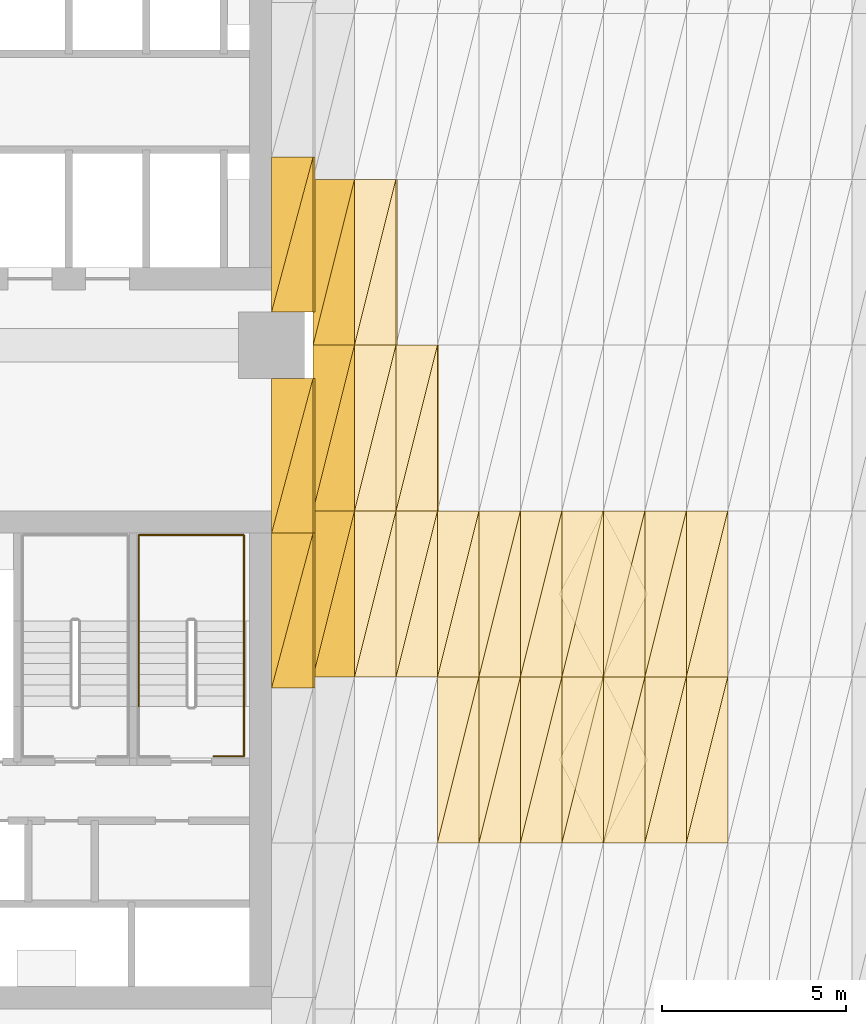
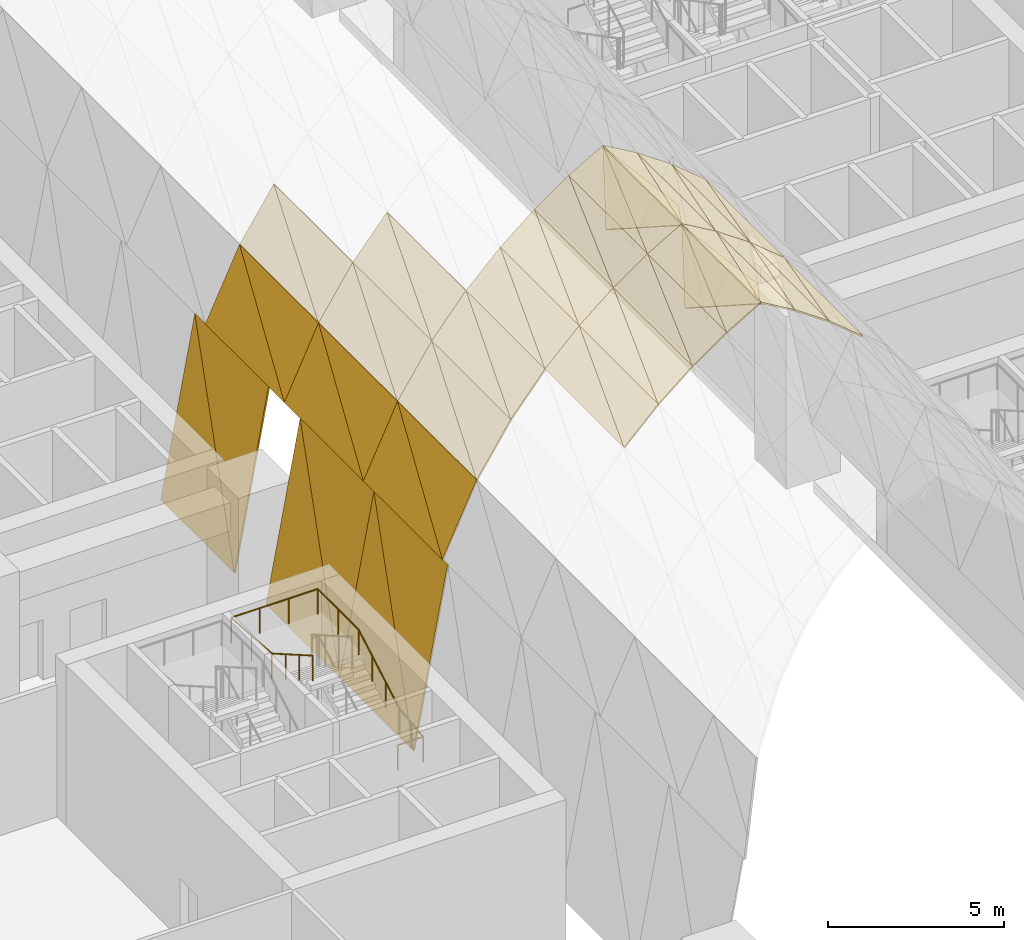
# One storey, part 35 of 46: 54 coverings, 1 railing.
"""IFC4 building model written with IfcOpenShell, lengths in metres."""

from ifc_helpers import new_model, si_unit, direction, frame, origin, origin_2d, place, context, subcontext, project, spatial, polyline, circle, outline, extrude, material, layer, layer_set, type_object, element, save


model = new_model("IFC4")

# Units and contexts
model_context = context("Model", 3, precision=1e-05, world=origin(), true_north=direction((0.0, 1.0)))
body_context = subcontext(model_context, "Body", "Model", "MODEL_VIEW")
ifc_project = project(units=[si_unit("LENGTHUNIT", "METRE"), si_unit("AREAUNIT", "SQUARE_METRE"), si_unit("VOLUMEUNIT", "CUBIC_METRE"), si_unit("PLANEANGLEUNIT", "RADIAN"), si_unit("MASSUNIT", "GRAM", prefix="KILO")], contexts=[model_context])

# Site, building, storey
site_placement = place(None, origin())
site = spatial("IfcSite", under=ifc_project, at=site_placement, CompositionType="ELEMENT")
building_placement = place(site_placement, origin())
building = spatial("IfcBuilding", under=site, at=building_placement, Name="Tessera Arch", CompositionType="ELEMENT")
storey_placement = place(building_placement, frame((0.0, 0.0, 8.0)))
storey = spatial("IfcBuildingStorey", under=building, at=storey_placement, Name="L01", CompositionType="ELEMENT", Elevation=8.0)

# Coverings
ifc_material_1 = material(Name="Aluminium cladding pale metal anodised", Category="aluminium")
ifc_layer = layer(ifc_material_1, 0.050048828125)
ifc_layer_set = layer_set([ifc_layer], Name="Arch soffit panel")
covering_type = type_object("IfcCoveringType", Name="Arch soffit panel", PredefinedType="CLADDING", material=ifc_layer_set)
covering_1_placement = place(storey_placement, frame((18.0, 17.699951171875, 2.0), z_axis=(-0.98331706381, 0.0, 0.181899840628), x_axis=(0.181899840628, 0.0, 0.98331706381)))
element("IfcCovering", 1, at=covering_1_placement, inside=storey, type_object=covering_type, Name="Arch soffit panel 1-5-1", PredefinedType="CLADDING", context=body_context, shape_type="SweptSolid", body=[
    extrude(outline(polyline([(0.0, 0.0), (6.184722296170829, 0.0), (6.184722296170829, 4.199951171875), (0.0, 0.0)])), origin(), (0.0, 0.0, -1.0), 0.050048828125),
])
covering_2_placement = place(storey_placement, frame((18.0, 17.699951171875, 2.0), z_axis=(-0.98331706381, 0.0, 0.181899840628), x_axis=(0.150481805158, 0.561792207927, 0.81347694585)))
element("IfcCovering", 2, at=covering_2_placement, inside=storey, type_object=covering_type, Name="Arch soffit panel 1-5-2", PredefinedType="CLADDING", context=body_context, shape_type="SweptSolid", body=[
    extrude(outline(polyline([(0.0, 0.0), (7.475986873108242, 4.440892098500626e-16), (2.3594998420322653, 3.474528794179709), (0.0, 0.0)])), origin(), (0.0, 0.0, -1.0), 0.050048828125),
])
covering_3_placement = place(storey_placement, frame((18.0, 21.89990234375, 2.0), z_axis=(-0.98331706381, 0.0, 0.181899840628), x_axis=(0.181899840628, 0.0, 0.98331706381)))
element("IfcCovering", 3, at=covering_3_placement, inside=storey, type_object=covering_type, Name="Arch soffit panel 1-6-1", PredefinedType="CLADDING", context=body_context, shape_type="SweptSolid", body=[
    extrude(outline(polyline([(0.0, 0.0), (6.184722296170829, 0.0), (6.184722296170829, 4.200195312500001), (0.0, 0.0)])), origin(), (0.0, 0.0, -1.0), 0.050048828125),
])
covering_4_placement = place(storey_placement, frame((18.0, 21.89990234375, 2.0), z_axis=(-0.98331706381, 0.0, 0.181899840628), x_axis=(0.150479044377, 0.561814557175, 0.813462021578)))
element("IfcCovering", 4, at=covering_4_placement, inside=storey, type_object=covering_type, Name="Arch soffit panel 1-6-2", PredefinedType="CLADDING", context=body_context, shape_type="SweptSolid", body=[
    extrude(outline(polyline([(0.0, 0.0), (7.47612403213721, 4.440892098500626e-16), (2.3597308695403933, 3.4746670180731147), (0.0, 0.0)])), origin(), (0.0, 0.0, -1.0), 0.050048828125),
])
covering_5_placement = place(storey_placement, frame((18.0, 27.89990234375, 2.0), z_axis=(-0.98331706381, 0.0, 0.181899840628), x_axis=(0.181899840628, 0.0, 0.98331706381)))
element("IfcCovering", 5, at=covering_5_placement, inside=storey, type_object=covering_type, Name="Arch soffit panel 1-7-1", PredefinedType="CLADDING", context=body_context, shape_type="SweptSolid", body=[
    extrude(outline(polyline([(0.0, 0.0), (6.184722296170829, 0.0), (6.184722296170829, 4.200195312500001), (0.0, 0.0)])), origin(), (0.0, 0.0, -1.0), 0.050048828125),
])
covering_6_placement = place(storey_placement, frame((18.0, 27.89990234375, 2.0), z_axis=(-0.98331706381, 0.0, 0.181899840628), x_axis=(0.150479044377, 0.561814557175, 0.813462021578)))
element("IfcCovering", 6, at=covering_6_placement, inside=storey, type_object=covering_type, Name="Arch soffit panel 1-7-2", PredefinedType="CLADDING", context=body_context, shape_type="SweptSolid", body=[
    extrude(outline(polyline([(0.0, 0.0), (7.47612403213721, 4.440892098500626e-16), (2.3597308695403933, 3.4746670180731147), (0.0, 0.0)])), origin(), (0.0, 0.0, -1.0), 0.050048828125),
])
covering_7_placement = place(storey_placement, frame((19.125, 18.0, 8.08154296875), z_axis=(-0.903430696756, 0.0, 0.428734155577), x_axis=(0.428734155577, 0.0, 0.903430696756)))
element("IfcCovering", 7, at=covering_7_placement, inside=storey, type_object=covering_type, Name="Arch soffit panel 2-5-1", PredefinedType="CLADDING", context=body_context, shape_type="SweptSolid", body=[
    extrude(outline(polyline([(0.0, 0.0), (2.624003675391368, 0.0), (2.624003675391368, 4.500000000000001), (0.0, 0.0)])), origin(), (0.0, 0.0, -1.0), 0.050048828125),
])
covering_8_placement = place(storey_placement, frame((19.125, 18.0, 8.08154296875), z_axis=(-0.903430696756, 0.0, 0.428734155577), x_axis=(0.215965533365, 0.863862133459, 0.455083621739)))
element("IfcCovering", 8, at=covering_8_placement, inside=storey, type_object=covering_type, Name="Arch soffit panel 2-5-2", PredefinedType="CLADDING", context=body_context, shape_type="SweptSolid", body=[
    extrude(outline(polyline([(0.0, 0.0), (5.209164548031422, 0.0), (3.887379600564281, 2.2667774132271337), (0.0, 0.0)])), origin(), (0.0, 0.0, -1.0), 0.050048828125),
])
covering_9_placement = place(storey_placement, frame((19.125, 22.5, 8.08154296875), z_axis=(-0.903430696756, 0.0, 0.428734155577), x_axis=(0.428734155577, 0.0, 0.903430696756)))
element("IfcCovering", 9, at=covering_9_placement, inside=storey, type_object=covering_type, Name="Arch soffit panel 2-6-1", PredefinedType="CLADDING", context=body_context, shape_type="SweptSolid", body=[
    extrude(outline(polyline([(0.0, 0.0), (2.624003675391368, 0.0), (2.624003675391368, 4.500000000000001), (0.0, 0.0)])), origin(), (0.0, 0.0, -1.0), 0.050048828125),
])
covering_10_placement = place(storey_placement, frame((19.125, 22.5, 8.08154296875), z_axis=(-0.903430696756, 0.0, 0.428734155577), x_axis=(0.215965533365, 0.863862133459, 0.455083621739)))
element("IfcCovering", 10, at=covering_10_placement, inside=storey, type_object=covering_type, Name="Arch soffit panel 2-6-2", PredefinedType="CLADDING", context=body_context, shape_type="SweptSolid", body=[
    extrude(outline(polyline([(0.0, 0.0), (5.209164548031422, 0.0), (3.887379600564281, 2.2667774132271337), (0.0, 0.0)])), origin(), (0.0, 0.0, -1.0), 0.050048828125),
])
covering_11_placement = place(storey_placement, frame((19.125, 27.0, 8.08154296875), z_axis=(-0.903430696756, 0.0, 0.428734155577), x_axis=(0.428734155577, 0.0, 0.903430696756)))
element("IfcCovering", 11, at=covering_11_placement, inside=storey, type_object=covering_type, Name="Arch soffit panel 2-7-1", PredefinedType="CLADDING", context=body_context, shape_type="SweptSolid", body=[
    extrude(outline(polyline([(0.0, 0.0), (2.624003675391368, 0.0), (2.624003675391368, 4.500000000000001), (0.0, 0.0)])), origin(), (0.0, 0.0, -1.0), 0.050048828125),
])
covering_12_placement = place(storey_placement, frame((19.125, 27.0, 8.08154296875), z_axis=(-0.903430696756, 0.0, 0.428734155577), x_axis=(0.215965533365, 0.863862133459, 0.455083621739)))
element("IfcCovering", 12, at=covering_12_placement, inside=storey, type_object=covering_type, Name="Arch soffit panel 2-7-2", PredefinedType="CLADDING", context=body_context, shape_type="SweptSolid", body=[
    extrude(outline(polyline([(0.0, 0.0), (5.209164548031422, 0.0), (3.887379600564281, 2.2667774132271337), (0.0, 0.0)])), origin(), (0.0, 0.0, -1.0), 0.050048828125),
])
covering_13_placement = place(storey_placement, frame((20.25, 18.0, 10.4521484375), z_axis=(-0.836058150895, 0.0, 0.548640837272), x_axis=(0.548640837272, 0.0, 0.836058150895)))
element("IfcCovering", 13, at=covering_13_placement, inside=storey, type_object=covering_type, Name="Arch soffit panel 3-5-1", PredefinedType="CLADDING", context=body_context, shape_type="SweptSolid", body=[
    extrude(outline(polyline([(0.0, 0.0), (2.050521805110356, 0.0), (2.050521805110356, 4.500000000000001), (0.0, 0.0)])), origin(), (0.0, 0.0, -1.0), 0.050048828125),
])
covering_14_placement = place(storey_placement, frame((20.25, 18.0, 10.4521484375), z_axis=(-0.836058150895, 0.0, 0.548640837272), x_axis=(0.227495016996, 0.909980067983, 0.346673179111)))
element("IfcCovering", 14, at=covering_14_placement, inside=storey, type_object=covering_type, Name="Arch soffit panel 3-5-2", PredefinedType="CLADDING", context=body_context, shape_type="SweptSolid", body=[
    extrude(outline(polyline([(0.0, 0.0), (4.945163260523664, 0.0), (4.094910305924995, 1.8659339716156267), (0.0, 0.0)])), origin(), (0.0, 0.0, -1.0), 0.050048828125),
])
covering_15_placement = place(storey_placement, frame((20.25, 22.5, 10.4521484375), z_axis=(-0.836058150895, 0.0, 0.548640837272), x_axis=(0.548640837272, 0.0, 0.836058150895)))
element("IfcCovering", 15, at=covering_15_placement, inside=storey, type_object=covering_type, Name="Arch soffit panel 3-6-1", PredefinedType="CLADDING", context=body_context, shape_type="SweptSolid", body=[
    extrude(outline(polyline([(0.0, 0.0), (2.050521805110356, 0.0), (2.050521805110356, 4.500000000000001), (0.0, 0.0)])), origin(), (0.0, 0.0, -1.0), 0.050048828125),
])
covering_16_placement = place(storey_placement, frame((20.25, 22.5, 10.4521484375), z_axis=(-0.836058150895, 0.0, 0.548640837272), x_axis=(0.227495016996, 0.909980067983, 0.346673179111)))
element("IfcCovering", 16, at=covering_16_placement, inside=storey, type_object=covering_type, Name="Arch soffit panel 3-6-2", PredefinedType="CLADDING", context=body_context, shape_type="SweptSolid", body=[
    extrude(outline(polyline([(0.0, 0.0), (4.945163260523664, 0.0), (4.094910305924995, 1.8659339716156267), (0.0, 0.0)])), origin(), (0.0, 0.0, -1.0), 0.050048828125),
])
covering_17_placement = place(storey_placement, frame((20.25, 27.0, 10.4521484375), z_axis=(-0.836058150895, 0.0, 0.548640837272), x_axis=(0.548640837272, 0.0, 0.836058150895)))
element("IfcCovering", 17, at=covering_17_placement, inside=storey, type_object=covering_type, Name="Arch soffit panel 3-7-1", PredefinedType="CLADDING", context=body_context, shape_type="SweptSolid", body=[
    extrude(outline(polyline([(0.0, 0.0), (2.050521805110356, 0.0), (2.050521805110356, 4.500000000000001), (0.0, 0.0)])), origin(), (0.0, 0.0, -1.0), 0.050048828125),
])
covering_18_placement = place(storey_placement, frame((20.25, 27.0, 10.4521484375), z_axis=(-0.836058150895, 0.0, 0.548640837272), x_axis=(0.227495016996, 0.909980067983, 0.346673179111)))
element("IfcCovering", 18, at=covering_18_placement, inside=storey, type_object=covering_type, Name="Arch soffit panel 3-7-2", PredefinedType="CLADDING", context=body_context, shape_type="SweptSolid", body=[
    extrude(outline(polyline([(0.0, 0.0), (4.945163260523664, 0.0), (4.094910305924995, 1.8659339716156267), (0.0, 0.0)])), origin(), (0.0, 0.0, -1.0), 0.050048828125),
])
covering_19_placement = place(storey_placement, frame((21.375, 18.0, 12.16650390625), z_axis=(-0.769435590456, 0.0, 0.638724410164), x_axis=(0.638724410164, 0.0, 0.769435590456)))
element("IfcCovering", 19, at=covering_19_placement, inside=storey, type_object=covering_type, Name="Arch soffit panel 4-5-1", PredefinedType="CLADDING", context=body_context, shape_type="SweptSolid", body=[
    extrude(outline(polyline([(0.0, 0.0), (1.7613230089496987, 0.0), (1.7613230089496987, 4.5), (0.0, 0.0)])), origin(), (0.0, 0.0, -1.0), 0.050048828125),
])
covering_20_placement = place(storey_placement, frame((21.375, 18.0, 12.16650390625), z_axis=(-0.769435590456, 0.0, 0.638724410164), x_axis=(0.232802733554, 0.931210934214, 0.280444438793)))
element("IfcCovering", 20, at=covering_20_placement, inside=storey, type_object=covering_type, Name="Arch soffit panel 4-5-2", PredefinedType="CLADDING", context=body_context, shape_type="SweptSolid", body=[
    extrude(outline(polyline([(0.0, 0.0), (4.832417484226257, 2.220446049250313e-16), (4.190449203964491, 1.640163244617246), (0.0, 0.0)])), origin(), (0.0, 0.0, -1.0), 0.050048828125),
])
covering_21_placement = place(storey_placement, frame((21.375, 22.5, 12.16650390625), z_axis=(-0.769435590456, 0.0, 0.638724410164), x_axis=(0.638724410164, 0.0, 0.769435590456)))
element("IfcCovering", 21, at=covering_21_placement, inside=storey, type_object=covering_type, Name="Arch soffit panel 4-6-1", PredefinedType="CLADDING", context=body_context, shape_type="SweptSolid", body=[
    extrude(outline(polyline([(0.0, 0.0), (1.7613230089496987, 0.0), (1.7613230089496987, 4.5), (0.0, 0.0)])), origin(), (0.0, 0.0, -1.0), 0.050048828125),
])
covering_22_placement = place(storey_placement, frame((21.375, 22.5, 12.16650390625), z_axis=(-0.769435590456, 0.0, 0.638724410164), x_axis=(0.232802733554, 0.931210934214, 0.280444438793)))
element("IfcCovering", 22, at=covering_22_placement, inside=storey, type_object=covering_type, Name="Arch soffit panel 4-6-2", PredefinedType="CLADDING", context=body_context, shape_type="SweptSolid", body=[
    extrude(outline(polyline([(0.0, 0.0), (4.832417484226257, 2.220446049250313e-16), (4.190449203964491, 1.640163244617246), (0.0, 0.0)])), origin(), (0.0, 0.0, -1.0), 0.050048828125),
])
covering_23_placement = place(storey_placement, frame((22.5, 13.5, 13.521728515625), z_axis=(-0.70300502251, 0.0, 0.711184883364), x_axis=(0.711184883364, 0.0, 0.70300502251)))
element("IfcCovering", 23, at=covering_23_placement, inside=storey, type_object=covering_type, Name="Arch soffit panel 5-4-1", PredefinedType="CLADDING", context=body_context, shape_type="SweptSolid", body=[
    extrude(outline(polyline([(0.0, 0.0), (1.5818671435730385, 0.0), (1.5818671435730385, 4.5), (0.0, 0.0)])), origin(), (0.0, 0.0, -1.0), 0.050048828125),
])
covering_24_placement = place(storey_placement, frame((22.5, 13.5, 13.521728515625), z_axis=(-0.70300502251, 0.0, 0.711184883364), x_axis=(0.235852147397, 0.943408589587, 0.233139438236)))
element("IfcCovering", 24, at=covering_24_placement, inside=storey, type_object=covering_type, Name="Arch soffit panel 5-4-2", PredefinedType="CLADDING", context=body_context, shape_type="SweptSolid", body=[
    extrude(outline(polyline([(0.0, 0.0), (4.769937490147635, 0.0), (4.245338653143071, 1.4923470508328087), (0.0, 0.0)])), origin(), (0.0, 0.0, -1.0), 0.050048828125),
])
covering_25_placement = place(storey_placement, frame((22.5, 18.0, 13.521728515625), z_axis=(-0.70300502251, 0.0, 0.711184883364), x_axis=(0.711184883364, 0.0, 0.70300502251)))
element("IfcCovering", 25, at=covering_25_placement, inside=storey, type_object=covering_type, Name="Arch soffit panel 5-5-1", PredefinedType="CLADDING", context=body_context, shape_type="SweptSolid", body=[
    extrude(outline(polyline([(0.0, 0.0), (1.5818671435730385, 0.0), (1.5818671435730385, 4.5), (0.0, 0.0)])), origin(), (0.0, 0.0, -1.0), 0.050048828125),
])
covering_26_placement = place(storey_placement, frame((22.5, 18.0, 13.521728515625), z_axis=(-0.70300502251, 0.0, 0.711184883364), x_axis=(0.235852147397, 0.943408589587, 0.233139438236)))
element("IfcCovering", 26, at=covering_26_placement, inside=storey, type_object=covering_type, Name="Arch soffit panel 5-5-2", PredefinedType="CLADDING", context=body_context, shape_type="SweptSolid", body=[
    extrude(outline(polyline([(0.0, 0.0), (4.769937490147635, 0.0), (4.245338653143071, 1.4923470508328087), (0.0, 0.0)])), origin(), (0.0, 0.0, -1.0), 0.050048828125),
])
covering_27_placement = place(storey_placement, frame((23.625, 13.5, 14.6337890625), z_axis=(-0.636621915226, 0.0, 0.771176073964), x_axis=(0.771176073964, 0.0, 0.636621915226)))
element("IfcCovering", 27, at=covering_27_placement, inside=storey, type_object=covering_type, Name="Arch soffit panel 6-4-1", PredefinedType="CLADDING", context=body_context, shape_type="SweptSolid", body=[
    extrude(outline(polyline([(0.0, 0.0), (1.4588108189316835, 0.0), (1.4588108189316835, 4.5), (0.0, 0.0)])), origin(), (0.0, 0.0, -1.0), 0.050048828125),
])
covering_28_placement = place(storey_placement, frame((23.625, 13.5, 14.6337890625), z_axis=(-0.636621915226, 0.0, 0.771176073964), x_axis=(0.237815762211, 0.951263048844, 0.1963218662)))
element("IfcCovering", 28, at=covering_28_placement, inside=storey, type_object=covering_type, Name="Arch soffit panel 6-4-2", PredefinedType="CLADDING", context=body_context, shape_type="SweptSolid", body=[
    extrude(outline(polyline([(0.0, 0.0), (4.730552716695177, 1.1102230246251565e-16), (4.280683719797313, 1.3877128273033432), (0.0, 0.0)])), origin(), (0.0, 0.0, -1.0), 0.050048828125),
])
covering_29_placement = place(storey_placement, frame((23.625, 18.0, 14.6337890625), z_axis=(-0.636621915226, 0.0, 0.771176073964), x_axis=(0.771176073964, 0.0, 0.636621915226)))
element("IfcCovering", 29, at=covering_29_placement, inside=storey, type_object=covering_type, Name="Arch soffit panel 6-5-1", PredefinedType="CLADDING", context=body_context, shape_type="SweptSolid", body=[
    extrude(outline(polyline([(0.0, 0.0), (1.4588108189316835, 0.0), (1.4588108189316835, 4.5), (0.0, 0.0)])), origin(), (0.0, 0.0, -1.0), 0.050048828125),
])
covering_30_placement = place(storey_placement, frame((23.625, 18.0, 14.6337890625), z_axis=(-0.636621915226, 0.0, 0.771176073964), x_axis=(0.237815762211, 0.951263048844, 0.1963218662)))
element("IfcCovering", 30, at=covering_30_placement, inside=storey, type_object=covering_type, Name="Arch soffit panel 6-5-2", PredefinedType="CLADDING", context=body_context, shape_type="SweptSolid", body=[
    extrude(outline(polyline([(0.0, 0.0), (4.730552716695177, 1.1102230246251565e-16), (4.280683719797313, 1.3877128273033432), (0.0, 0.0)])), origin(), (0.0, 0.0, -1.0), 0.050048828125),
])
covering_31_placement = place(storey_placement, frame((24.75, 13.5, 15.5625), z_axis=(-0.570275535921, 0.0, 0.821453475938), x_axis=(0.821453475938, 0.0, 0.570275535921)))
element("IfcCovering", 31, at=covering_31_placement, inside=storey, type_object=covering_type, Name="Arch soffit panel 7-4-1", PredefinedType="CLADDING", context=body_context, shape_type="SweptSolid", body=[
    extrude(outline(polyline([(0.0, 0.0), (1.3695236954423544, 0.0), (1.3695236954423544, 4.5), (0.0, 0.0)])), origin(), (0.0, 0.0, -1.0), 0.050048828125),
])
covering_32_placement = place(storey_placement, frame((24.75, 13.5, 15.5625), z_axis=(-0.570275535921, 0.0, 0.821453475938), x_axis=(0.239169084806, 0.956676339224, 0.166037739213)))
element("IfcCovering", 32, at=covering_32_placement, inside=storey, type_object=covering_type, Name="Arch soffit panel 7-4-2", PredefinedType="CLADDING", context=body_context, shape_type="SweptSolid", body=[
    extrude(outline(polyline([(0.0, 0.0), (4.703785194115276, 1.6653345369377348e-16), (4.305043526505844, 1.3101909154356595), (0.0, 0.0)])), origin(), (0.0, 0.0, -1.0), 0.050048828125),
])
covering_33_placement = place(storey_placement, frame((24.75, 18.0, 15.5625), z_axis=(-0.570275535921, 0.0, 0.821453475938), x_axis=(0.821453475938, 0.0, 0.570275535921)))
element("IfcCovering", 33, at=covering_33_placement, inside=storey, type_object=covering_type, Name="Arch soffit panel 7-5-1", PredefinedType="CLADDING", context=body_context, shape_type="SweptSolid", body=[
    extrude(outline(polyline([(0.0, 0.0), (1.3695236954423544, 0.0), (1.3695236954423544, 4.5), (0.0, 0.0)])), origin(), (0.0, 0.0, -1.0), 0.050048828125),
])
covering_34_placement = place(storey_placement, frame((24.75, 18.0, 15.5625), z_axis=(-0.570275535921, 0.0, 0.821453475938), x_axis=(0.239169084806, 0.956676339224, 0.166037739213)))
element("IfcCovering", 34, at=covering_34_placement, inside=storey, type_object=covering_type, Name="Arch soffit panel 7-5-2", PredefinedType="CLADDING", context=body_context, shape_type="SweptSolid", body=[
    extrude(outline(polyline([(0.0, 0.0), (4.703785194115276, 1.6653345369377348e-16), (4.305043526505844, 1.3101909154356595), (0.0, 0.0)])), origin(), (0.0, 0.0, -1.0), 0.050048828125),
])
covering_35_placement = place(storey_placement, frame((25.875, 13.5, 16.343505859375), z_axis=(-0.504010866283, 0.0, 0.863697311949), x_axis=(0.863697311949, 0.0, 0.504010866283)))
element("IfcCovering", 35, at=covering_35_placement, inside=storey, type_object=covering_type, Name="Arch soffit panel 8-4-1", PredefinedType="CLADDING", context=body_context, shape_type="SweptSolid", body=[
    extrude(outline(polyline([(0.0, 0.0), (1.3025396564692215, 0.0), (1.3025396564692215, 4.5), (0.0, 0.0)])), origin(), (0.0, 0.0, -1.0), 0.050048828125),
])
covering_36_placement = place(storey_placement, frame((25.875, 13.5, 16.343505859375), z_axis=(-0.504010866283, 0.0, 0.863697311949), x_axis=(0.240142376268, 0.960569505072, 0.140135167054)))
element("IfcCovering", 36, at=covering_36_placement, inside=storey, type_object=covering_type, Name="Arch soffit panel 8-4-2", PredefinedType="CLADDING", context=body_context, shape_type="SweptSolid", body=[
    extrude(outline(polyline([(0.0, 0.0), (4.684720862193921, 1.6653345369377348e-16), (4.322562772825837, 1.2511798731518247), (0.0, 0.0)])), origin(), (0.0, 0.0, -1.0), 0.050048828125),
])
covering_37_placement = place(storey_placement, frame((25.875, 18.0, 16.343505859375), z_axis=(-0.504010866283, 0.0, 0.863697311949), x_axis=(0.863697311949, 0.0, 0.504010866283)))
element("IfcCovering", 37, at=covering_37_placement, inside=storey, type_object=covering_type, Name="Arch soffit panel 8-5-1", PredefinedType="CLADDING", context=body_context, shape_type="SweptSolid", body=[
    extrude(outline(polyline([(0.0, 0.0), (1.3025396564692215, 0.0), (1.3025396564692215, 4.5), (0.0, 0.0)])), origin(), (0.0, 0.0, -1.0), 0.050048828125),
])
covering_38_placement = place(storey_placement, frame((25.875, 18.0, 16.343505859375), z_axis=(-0.504010866283, 0.0, 0.863697311949), x_axis=(0.240142376268, 0.960569505072, 0.140135167054)))
element("IfcCovering", 38, at=covering_38_placement, inside=storey, type_object=covering_type, Name="Arch soffit panel 8-5-2", PredefinedType="CLADDING", context=body_context, shape_type="SweptSolid", body=[
    extrude(outline(polyline([(0.0, 0.0), (4.684720862193921, 1.6653345369377348e-16), (4.322562772825837, 1.2511798731518247), (0.0, 0.0)])), origin(), (0.0, 0.0, -1.0), 0.050048828125),
])
covering_39_placement = place(storey_placement, frame((27.0, 13.5, 17.0), z_axis=(0.504010866283, 0.0, 0.863697311949), x_axis=(0.863697311949, 0.0, -0.504010866283)))
element("IfcCovering", 39, at=covering_39_placement, inside=storey, type_object=covering_type, Name="Arch soffit panel 9-4-1", PredefinedType="CLADDING", context=body_context, shape_type="SweptSolid", body=[
    extrude(outline(polyline([(0.0, 0.0), (1.3025396564692215, 0.0), (1.3025396564692215, 4.5), (0.0, 0.0)])), origin(), (0.0, 0.0, -1.0), 0.050048828125),
])
covering_40_placement = place(storey_placement, frame((27.0, 13.5, 17.0), z_axis=(0.504010866283, 0.0, 0.863697311949), x_axis=(0.240142376268, 0.960569505072, -0.140135167054)))
element("IfcCovering", 40, at=covering_40_placement, inside=storey, type_object=covering_type, Name="Arch soffit panel 9-4-2", PredefinedType="CLADDING", context=body_context, shape_type="SweptSolid", body=[
    extrude(outline(polyline([(0.0, 0.0), (4.684720862193921, 1.6653345369377348e-16), (4.322562772825837, 1.2511798731518247), (0.0, 0.0)])), origin(), (0.0, 0.0, -1.0), 0.050048828125),
])
covering_41_placement = place(storey_placement, frame((27.0, 18.0, 17.0), z_axis=(0.504010866283, 0.0, 0.863697311949), x_axis=(0.863697311949, 0.0, -0.504010866283)))
element("IfcCovering", 41, at=covering_41_placement, inside=storey, type_object=covering_type, Name="Arch soffit panel 9-5-1", PredefinedType="CLADDING", context=body_context, shape_type="SweptSolid", body=[
    extrude(outline(polyline([(0.0, 0.0), (1.3025396564692215, 0.0), (1.3025396564692215, 4.5), (0.0, 0.0)])), origin(), (0.0, 0.0, -1.0), 0.050048828125),
])
covering_42_placement = place(storey_placement, frame((27.0, 18.0, 17.0), z_axis=(0.504010866283, 0.0, 0.863697311949), x_axis=(0.240142376268, 0.960569505072, -0.140135167054)))
element("IfcCovering", 42, at=covering_42_placement, inside=storey, type_object=covering_type, Name="Arch soffit panel 9-5-2", PredefinedType="CLADDING", context=body_context, shape_type="SweptSolid", body=[
    extrude(outline(polyline([(0.0, 0.0), (4.684720862193921, 1.6653345369377348e-16), (4.322562772825837, 1.2511798731518247), (0.0, 0.0)])), origin(), (0.0, 0.0, -1.0), 0.050048828125),
])
covering_43_placement = place(storey_placement, frame((28.125, 13.5, 16.343505859375), z_axis=(0.570275535921, 0.0, 0.821453475938), x_axis=(0.821453475938, 0.0, -0.570275535921)))
element("IfcCovering", 43, at=covering_43_placement, inside=storey, type_object=covering_type, Name="Arch soffit panel 10-4-1", PredefinedType="CLADDING", context=body_context, shape_type="SweptSolid", body=[
    extrude(outline(polyline([(0.0, 0.0), (1.3695236954423544, 0.0), (1.3695236954423544, 4.5), (0.0, 0.0)])), origin(), (0.0, 0.0, -1.0), 0.050048828125),
])
covering_44_placement = place(storey_placement, frame((28.125, 13.5, 16.343505859375), z_axis=(0.570275535921, 0.0, 0.821453475938), x_axis=(0.239169084806, 0.956676339224, -0.166037739213)))
element("IfcCovering", 44, at=covering_44_placement, inside=storey, type_object=covering_type, Name="Arch soffit panel 10-4-2", PredefinedType="CLADDING", context=body_context, shape_type="SweptSolid", body=[
    extrude(outline(polyline([(0.0, 0.0), (4.703785194115276, 1.6653345369377348e-16), (4.305043526505844, 1.3101909154356595), (0.0, 0.0)])), origin(), (0.0, 0.0, -1.0), 0.050048828125),
])
covering_45_placement = place(storey_placement, frame((28.125, 18.0, 16.343505859375), z_axis=(0.570275535921, 0.0, 0.821453475938), x_axis=(0.821453475938, 0.0, -0.570275535921)))
element("IfcCovering", 45, at=covering_45_placement, inside=storey, type_object=covering_type, Name="Arch soffit panel 10-5-1", PredefinedType="CLADDING", context=body_context, shape_type="SweptSolid", body=[
    extrude(outline(polyline([(0.0, 0.0), (1.3695236954423544, 0.0), (1.3695236954423544, 4.5), (0.0, 0.0)])), origin(), (0.0, 0.0, -1.0), 0.050048828125),
])
covering_46_placement = place(storey_placement, frame((28.125, 18.0, 16.343505859375), z_axis=(0.570275535921, 0.0, 0.821453475938), x_axis=(0.239169084806, 0.956676339224, -0.166037739213)))
element("IfcCovering", 46, at=covering_46_placement, inside=storey, type_object=covering_type, Name="Arch soffit panel 10-5-2", PredefinedType="CLADDING", context=body_context, shape_type="SweptSolid", body=[
    extrude(outline(polyline([(0.0, 0.0), (4.703785194115276, 1.6653345369377348e-16), (4.305043526505844, 1.3101909154356595), (0.0, 0.0)])), origin(), (0.0, 0.0, -1.0), 0.050048828125),
])
covering_47_placement = place(storey_placement, frame((29.25, 13.5, 15.5625), z_axis=(0.636621915226, 0.0, 0.771176073964), x_axis=(0.771176073964, 0.0, -0.636621915226)))
element("IfcCovering", 47, at=covering_47_placement, inside=storey, type_object=covering_type, Name="Arch soffit panel 11-4-1", PredefinedType="CLADDING", context=body_context, shape_type="SweptSolid", body=[
    extrude(outline(polyline([(0.0, 0.0), (1.4588108189316835, 0.0), (1.4588108189316835, 4.5), (0.0, 0.0)])), origin(), (0.0, 0.0, -1.0), 0.050048828125),
])
covering_48_placement = place(storey_placement, frame((29.25, 13.5, 15.5625), z_axis=(0.636621915226, 0.0, 0.771176073964), x_axis=(0.237815762211, 0.951263048844, -0.1963218662)))
element("IfcCovering", 48, at=covering_48_placement, inside=storey, type_object=covering_type, Name="Arch soffit panel 11-4-2", PredefinedType="CLADDING", context=body_context, shape_type="SweptSolid", body=[
    extrude(outline(polyline([(0.0, 0.0), (4.730552716695177, 1.1102230246251565e-16), (4.280683719797313, 1.3877128273033432), (0.0, 0.0)])), origin(), (0.0, 0.0, -1.0), 0.050048828125),
])
covering_49_placement = place(storey_placement, frame((29.25, 18.0, 15.5625), z_axis=(0.636621915226, 0.0, 0.771176073964), x_axis=(0.771176073964, 0.0, -0.636621915226)))
element("IfcCovering", 49, at=covering_49_placement, inside=storey, type_object=covering_type, Name="Arch soffit panel 11-5-1", PredefinedType="CLADDING", context=body_context, shape_type="SweptSolid", body=[
    extrude(outline(polyline([(0.0, 0.0), (1.4588108189316835, 0.0), (1.4588108189316835, 4.5), (0.0, 0.0)])), origin(), (0.0, 0.0, -1.0), 0.050048828125),
])
covering_50_placement = place(storey_placement, frame((29.25, 18.0, 15.5625), z_axis=(0.636621915226, 0.0, 0.771176073964), x_axis=(0.237815762211, 0.951263048844, -0.1963218662)))
element("IfcCovering", 50, at=covering_50_placement, inside=storey, type_object=covering_type, Name="Arch soffit panel 11-5-2", PredefinedType="CLADDING", context=body_context, shape_type="SweptSolid", body=[
    extrude(outline(polyline([(0.0, 0.0), (4.730552716695177, 1.1102230246251565e-16), (4.280683719797313, 1.3877128273033432), (0.0, 0.0)])), origin(), (0.0, 0.0, -1.0), 0.050048828125),
])
covering_51_placement = place(storey_placement, frame((27.0, 13.5, 16.949951171875), z_axis=(-0.675690668518, 0.0, 0.737185268761), x_axis=(0.0, 1.0, 0.0)))
element("IfcCovering", 51, at=covering_51_placement, inside=storey, type_object=covering_type, Name="Arch soffit facet W4", PredefinedType="CLADDING", context=body_context, shape_type="SweptSolid", body=[
    extrude(outline(polyline([(0.0, 0.0), (4.5, 0.0), (2.25, 1.6277470843828468), (0.0, 0.0)])), origin(), (0.0, 0.0, -1.0), 0.050048828125),
])
covering_52_placement = place(storey_placement, frame((27.0, 13.5, 16.949951171875), z_axis=(0.675690668518, 0.0, 0.737185268761), x_axis=(0.0, 1.0, 0.0)))
element("IfcCovering", 52, at=covering_52_placement, inside=storey, type_object=covering_type, Name="Arch soffit facet E4", PredefinedType="CLADDING", context=body_context, shape_type="SweptSolid", body=[
    extrude(outline(polyline([(0.0, 0.0), (4.5, 0.0), (2.25, -1.6277470843828468), (0.0, 0.0)])), origin(), (0.0, 0.0, -1.0), 0.050048828125),
])
covering_53_placement = place(storey_placement, frame((27.0, 18.0, 16.949951171875), z_axis=(-0.675690668518, 0.0, 0.737185268761), x_axis=(0.0, 1.0, 0.0)))
element("IfcCovering", 53, at=covering_53_placement, inside=storey, type_object=covering_type, Name="Arch soffit facet W5", PredefinedType="CLADDING", context=body_context, shape_type="SweptSolid", body=[
    extrude(outline(polyline([(0.0, 0.0), (4.5, 0.0), (2.25, 1.6277470843828468), (0.0, 0.0)])), origin(), (0.0, 0.0, -1.0), 0.050048828125),
])
covering_54_placement = place(storey_placement, frame((27.0, 18.0, 16.949951171875), z_axis=(0.675690668518, 0.0, 0.737185268761), x_axis=(0.0, 1.0, 0.0)))
element("IfcCovering", 54, at=covering_54_placement, inside=storey, type_object=covering_type, Name="Arch soffit facet E5", PredefinedType="CLADDING", context=body_context, shape_type="SweptSolid", body=[
    extrude(outline(polyline([(0.0, 0.0), (4.5, 0.0), (2.25, -1.6277470843828468), (0.0, 0.0)])), origin(), (0.0, 0.0, -1.0), 0.050048828125),
])

# Railing
ifc_material_2 = material(Name="Painted steel handrail", Category="steel")
railing_type = type_object("IfcRailingType", Name="Stair handrail 900", PredefinedType="HANDRAIL", material=ifc_material_2)
railing_placement = place(storey_placement, frame((16.425048828125, 15.85009765625, 3.0)))
element("IfcRailing", 55, at=railing_placement, inside=storey, type_object=railing_type, Name="L01 S4a stair handrail 2", PredefinedType="HANDRAIL", context=body_context, shape_type="SweptSolid", body=[
    extrude(circle(Radius=0.02392578125, at=origin_2d()), frame((-0.00390625, 0.0, 0.8759765625), z_axis=(1.0, 0.0, 0.0), x_axis=(0.0, 1.0, 0.0)), (0.0, 0.0, 1.0), 0.8330078125),
    extrude(circle(Radius=0.02392578125, at=origin_2d()), frame((0.824951171875, -0.00390625, 0.875244140625), z_axis=(0.0, 0.992456337791, 0.122598603493), x_axis=(-1.0, 0.0, 0.0)), (0.0, 0.0, 1.0), 1.3681640625),
    extrude(circle(Radius=0.02392578125, at=origin_2d()), frame((0.824951171875, 1.346435546875, 1.04052734375), z_axis=(0.0, 0.867033425039, 0.498249977285), x_axis=(-1.0, 0.0, 0.0)), (0.0, 0.0, 1.0), 2.683837890625),
    extrude(circle(Radius=0.02392578125, at=origin_2d()), frame((0.824951171875, 3.666015625, 2.3759765625), z_axis=(0.0, 1.0, 0.0), x_axis=(-1.0, 0.0, 0.0)), (0.0, 0.0, 1.0), 2.338134765625),
    extrude(circle(Radius=0.02392578125, at=origin_2d()), frame((0.828857421875, 6.0, 2.3759765625), z_axis=(-1.0, 0.0, 0.0), x_axis=(0.0, -1.0, 0.0)), (0.0, 0.0, 1.0), 2.858154296875),
    extrude(circle(Radius=0.02392578125, at=origin_2d()), frame((-2.025146484375, 6.00390625, 2.37548828125), z_axis=(0.0, -0.99744914168, 0.071380738031), x_axis=(1.0, 0.0, 0.0)), (0.0, 0.0, 1.0), 2.343994140625),
    extrude(circle(Radius=0.02392578125, at=origin_2d()), frame((-2.025146484375, 3.67333984375, 2.54052734375), z_axis=(0.0, -0.867033425039, 0.498249977285), x_axis=(1.0, 0.0, 0.0)), (0.0, 0.0, 1.0), 2.683837890625),
    extrude(circle(Radius=0.02099609375, at=origin_2d()), origin(), (0.0, 0.0, 1.0), 0.86376953125),
    extrude(circle(Radius=0.02099609375, at=origin_2d()), frame((0.824951171875, 0.0, 0.0)), (0.0, 0.0, 1.0), 0.86376953125),
    extrude(circle(Radius=0.02099609375, at=origin_2d()), frame((0.824951171875, 0.6748046875, 0.08349609375)), (0.0, 0.0, 1.0), 0.86376953125),
    extrude(circle(Radius=0.02099609375, at=origin_2d()), frame((0.824951171875, 1.349853515625, 0.166748046875)), (0.0, 0.0, 1.0), 0.86376953125),
    extrude(circle(Radius=0.02099609375, at=origin_2d()), frame((0.824951171875, 2.123291015625, 0.611083984375)), (0.0, 0.0, 1.0), 0.86376953125),
    extrude(circle(Radius=0.02099609375, at=origin_2d()), frame((0.824951171875, 2.896484375, 1.0556640625)), (0.0, 0.0, 1.0), 0.86376953125),
    extrude(circle(Radius=0.02099609375, at=origin_2d()), frame((0.824951171875, 3.669921875, 1.5)), (0.0, 0.0, 1.0), 0.86376953125),
    extrude(circle(Radius=0.02099609375, at=origin_2d()), frame((0.824951171875, 4.8349609375, 1.5)), (0.0, 0.0, 1.0), 0.86376953125),
    extrude(circle(Radius=0.02099609375, at=origin_2d()), frame((0.824951171875, 6.0, 1.5)), (0.0, 0.0, 1.0), 0.86376953125),
    extrude(circle(Radius=0.02099609375, at=origin_2d()), frame((-0.125, 6.0, 1.5)), (0.0, 0.0, 1.0), 0.86376953125),
    extrude(circle(Radius=0.02099609375, at=origin_2d()), frame((-1.0751953125, 6.0, 1.5)), (0.0, 0.0, 1.0), 0.86376953125),
    extrude(circle(Radius=0.02099609375, at=origin_2d()), frame((-2.025146484375, 6.0, 1.5)), (0.0, 0.0, 1.0), 0.86376953125),
    extrude(circle(Radius=0.02099609375, at=origin_2d()), frame((-2.025146484375, 4.8349609375, 1.58349609375)), (0.0, 0.0, 1.0), 0.86376953125),
    extrude(circle(Radius=0.02099609375, at=origin_2d()), frame((-2.025146484375, 3.669921875, 1.666748046875)), (0.0, 0.0, 1.0), 0.86376953125),
    extrude(circle(Radius=0.02099609375, at=origin_2d()), frame((-2.025146484375, 2.896484375, 2.111083984375)), (0.0, 0.0, 1.0), 0.86376953125),
    extrude(circle(Radius=0.02099609375, at=origin_2d()), frame((-2.025146484375, 2.123291015625, 2.5556640625)), (0.0, 0.0, 1.0), 0.86376953125),
    extrude(circle(Radius=0.02099609375, at=origin_2d()), frame((-2.025146484375, 1.349853515625, 3.0)), (0.0, 0.0, 1.0), 0.86376953125),
])

save(model, "model.ifc")
